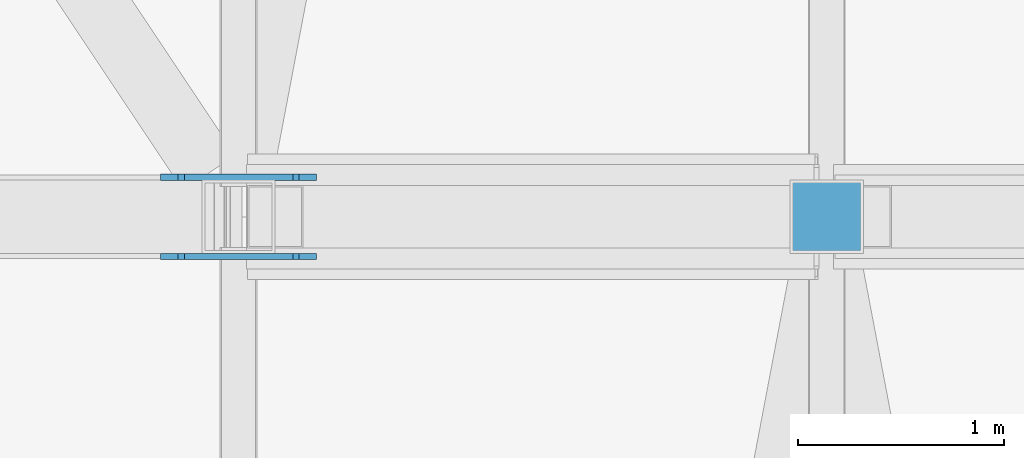
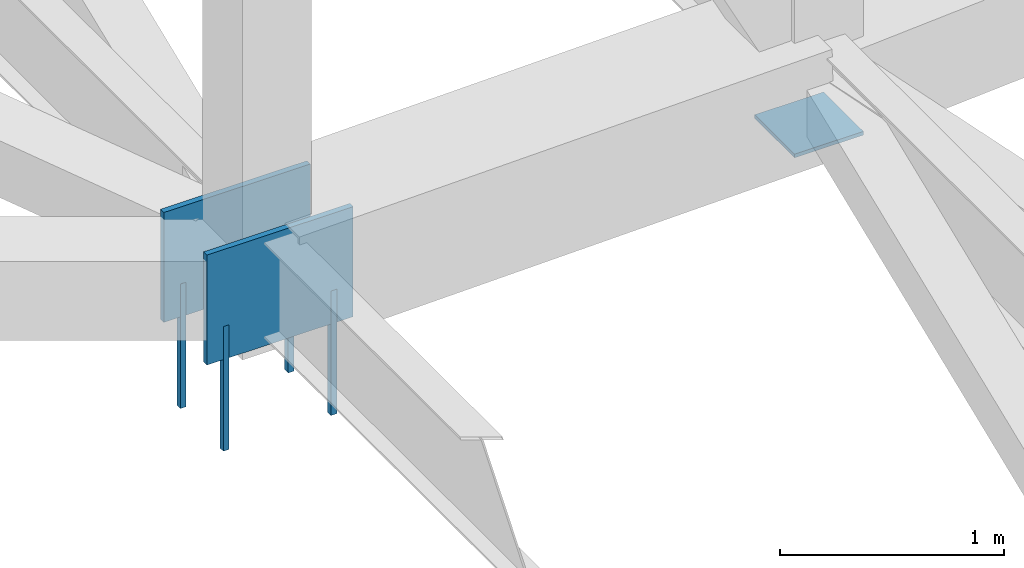
# One storey, part 210 of 278: 4 mechanical fasteners, 3 discrete accessories.
"""IFC4 building model written with IfcOpenShell, lengths in metres."""

from ifc_helpers import new_model, si_unit, direction, frame, origin, origin_2d, place, context, subcontext, project, spatial, rectangle, extrude, material, layer, layer_set, type_object, element, save


model = new_model("IFC4")

# Units and contexts
model_context = context("Model", 3, precision=1e-05, world=origin(), true_north=direction((0.0, 1.0)))
body_context = subcontext(model_context, "Body", "Model", "MODEL_VIEW")
ifc_project = project(units=[si_unit("LENGTHUNIT", "METRE"), si_unit("AREAUNIT", "SQUARE_METRE"), si_unit("VOLUMEUNIT", "CUBIC_METRE"), si_unit("PLANEANGLEUNIT", "RADIAN"), si_unit("MASSUNIT", "GRAM", prefix="KILO")], contexts=[model_context])

# Site, building, storey
site_placement = place(None, origin())
site = spatial("IfcSite", under=ifc_project, at=site_placement, CompositionType="ELEMENT")
building_placement = place(site_placement, origin())
building = spatial("IfcBuilding", under=site, at=building_placement, Name="Ogive Plaza Stadium", CompositionType="ELEMENT")
storey_placement = place(building_placement, frame((0.0, 0.0, 29.0)))
storey = spatial("IfcBuildingStorey", under=building, at=storey_placement, Name="Roof", CompositionType="ELEMENT", Elevation=29.0)

# Mechanical fasteners
ifc_material_1 = material(Name="Steel ASTM A992 Grade 50", Category="steel")
mechanical_fastener_type = type_object("IfcMechanicalFastenerType", Name="Anchor bolt M30 x 600", PredefinedType="ANCHORBOLT", material=ifc_material_1)
for number, where, z_axis, x_axis, name in (
    (1, (-74.27783203125, 37.30810546875, -0.5), (0.0, 0.0, 1.0), (-1.0, 0.0, 0.0), "ANCHOR BOLT 27 BP 1.1"),
    (2, (-73.72216796875, 37.30810546875, -0.5), (0.0, 0.0, 1.0), (-1.0, 0.0, 0.0), "ANCHOR BOLT 27 BP 1.2"),
    (3, (-74.27783203125, 37.69189453125, -0.5), (0.0, 0.0, 1.0), (-1.0, 0.0, 0.0), "ANCHOR BOLT 27 BP 2.1"),
    (4, (-73.72216796875, 37.69189453125, -0.5), (0.0, 0.0, 1.0), (-1.0, 0.0, 0.0), "ANCHOR BOLT 27 BP 2.2"),
):
    element("IfcMechanicalFastener", number, at=place(storey_placement, frame(where, z_axis=z_axis, x_axis=x_axis)), inside=storey, type_object=mechanical_fastener_type, Name=name, PredefinedType="ANCHORBOLT", context=body_context, shape_type="SweptSolid", body=[
        extrude(rectangle(XDim=0.030029296875, YDim=0.030029296875, at=origin_2d()), origin(), (0.0, 0.0, 1.0), 0.679931640625),
    ])

# Discrete accessories
ifc_material_2 = material(Name="Steel ASTM A992 Grade 50", Category="steel")
ifc_layer_1 = layer(ifc_material_2, 0.02001953125)
ifc_layer_set_1 = layer_set([ifc_layer_1], Name="Steel ASTM A992 Grade 50")
discrete_accessory_type_1 = type_object("IfcDiscreteAccessoryType", Name="Roof truss post cap plate 20", PredefinedType="ANCHORPLATE", material=ifc_layer_set_1)
discrete_accessory_placement = place(storey_placement, frame((-71.14990234375, 37.5, 0.04541015625), z_axis=(0.0, 0.0, 1.0), x_axis=(-1.0, 0.0, 0.0)))
element("IfcDiscreteAccessory", 5, at=discrete_accessory_placement, inside=storey, type_object=discrete_accessory_type_1, Name="ROOF TRUSS POST CAP PLATE 27 10", PredefinedType="ANCHORPLATE", context=body_context, shape_type="SweptSolid", body=[
    extrude(rectangle(XDim=0.355712890625, YDim=0.355712890625, at=origin_2d()), origin(), (0.0, 0.0, 1.0), 0.02001953125),
])
ifc_material_3 = material(Name="Steel ASTM A992 Grade 50", Category="steel")
ifc_layer_2 = layer(ifc_material_3, 0.030029296875)
ifc_layer_set_2 = layer_set([ifc_layer_2], Name="Steel ASTM A992 Grade 50")
discrete_accessory_type_2 = type_object("IfcDiscreteAccessoryType", Name="Truss root foot cleat plate 30", PredefinedType="ANCHORPLATE", material=ifc_layer_set_2)
for number, where, z_axis, x_axis, name in (
    (6, (-74.0, 37.30810546875, 0.0), (0.0, 0.0, 1.0), (-1.0, 0.0, 0.0), "TRUSS ROOT FOOT CLEAT PLATE 27 1"),
    (7, (-74.0, 37.69189453125, 0.0), (0.0, 0.0, 1.0), (-1.0, 0.0, 0.0), "TRUSS ROOT FOOT CLEAT PLATE 27 2"),
):
    element("IfcDiscreteAccessory", number, at=place(storey_placement, frame(where, z_axis=z_axis, x_axis=x_axis)), inside=storey, type_object=discrete_accessory_type_2, Name=name, PredefinedType="ANCHORPLATE", context=body_context, shape_type="SweptSolid", body=[
        extrude(rectangle(XDim=0.755615234375, YDim=0.030029296875, at=origin_2d()), origin(), (0.0, 0.0, 1.0), 0.60009765625),
    ])

save(model, "model.ifc")
